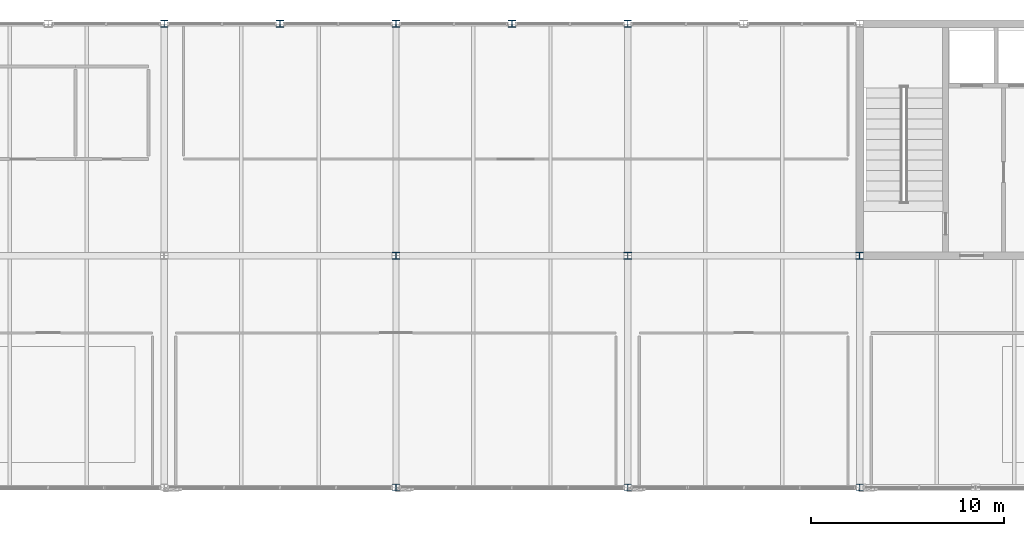
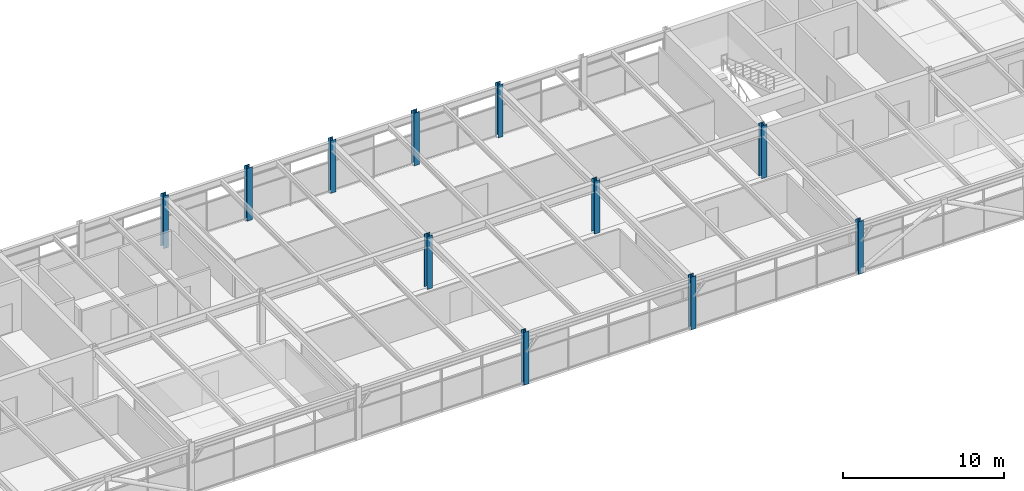
# One storey, part 2 of 40: 11 columns.
"""IFC4 building model written with IfcOpenShell, lengths in metres."""

from ifc_helpers import new_model, si_unit, direction, frame, origin, origin_2d, place, context, subcontext, project, spatial, i_section, extrude, material, material_profile, profile_set, type_object, element, save


model = new_model("IFC4")

# Units and contexts
model_context = context("Model", 3, precision=1e-05, world=origin(), true_north=direction((0.0, 1.0)))
body_context = subcontext(model_context, "Body", "Model", "MODEL_VIEW")
ifc_project = project(units=[si_unit("LENGTHUNIT", "METRE"), si_unit("AREAUNIT", "SQUARE_METRE"), si_unit("VOLUMEUNIT", "CUBIC_METRE"), si_unit("PLANEANGLEUNIT", "RADIAN"), si_unit("MASSUNIT", "GRAM", prefix="KILO")], contexts=[model_context])

# Site, building, storey
site_placement = place(None, origin())
site = spatial("IfcSite", under=ifc_project, at=site_placement, CompositionType="ELEMENT")
building_placement = place(site_placement, origin())
building = spatial("IfcBuilding", under=site, at=building_placement, Name="Girod Span Mobility Hub", CompositionType="ELEMENT")
storey_placement = place(building_placement, frame((0.0, 0.0, 53.60009765625)))
storey = spatial("IfcBuildingStorey", under=building, at=storey_placement, Name="L13", CompositionType="ELEMENT", Elevation=53.60009765625)

# Columns
ifc_material_1 = material(Name="Steel A992 Grade 50", Category="steel")
ifc_material_profile_1 = material_profile(ifc_material_1, i_section(OverallWidth=0.39404296875, OverallDepth=0.375, WebThickness=0.017333984375, FlangeThickness=0.027587890625, FilletRadius=0.01806640625, at=origin_2d()), Name="W14X145")
ifc_profile_set_1 = profile_set([ifc_material_profile_1], Name="Steel A992 Grade 50")
column_type_1 = type_object("IfcColumnType", Name="COL-STL-W14X145", PredefinedType="COLUMN", material=ifc_profile_set_1)
for number, where, z_axis, x_axis, name in (
    (1, (84.0, 57.0, 0.0), (0.0, 0.0, 1.0), (1.0, 0.0, 0.0), "Column 8E L13"),
    (2, (96.0, 57.0, 0.0), (0.0, 0.0, 1.0), (1.0, 0.0, 0.0), "Column 9E L13"),
    (3, (108.0, 57.0, 0.0), (0.0, 0.0, 1.0), (1.0, 0.0, 0.0), "Column 10E L13"),
    (4, (78.0, 69.0, 0.0), (0.0, 0.0, 1.0), (1.0, 0.0, 0.0), "Facade Intermediate Column INT-2 L13"),
    (5, (90.0, 69.0, 0.0), (0.0, 0.0, 1.0), (1.0, 0.0, 0.0), "Facade Intermediate Column INT-3 L13"),
):
    element("IfcColumn", number, at=place(storey_placement, frame(where, z_axis=z_axis, x_axis=x_axis)), inside=storey, type_object=column_type_1, Name=name, PredefinedType="COLUMN", context=body_context, shape_type="SweptSolid", body=[
        extrude(i_section(OverallWidth=0.39404296875, OverallDepth=0.375, WebThickness=0.017333984375, FlangeThickness=0.027587890625, FilletRadius=0.01806640625, at=origin_2d()), origin(), (0.0, 0.0, 1.0), 4.0),
    ])
ifc_material_2 = material(Name="Steel A992 Grade 50", Category="steel")
ifc_material_profile_2 = material_profile(ifc_material_2, i_section(OverallWidth=0.368896484375, OverallDepth=0.35595703125, WebThickness=0.01123046875, FlangeThickness=0.01806640625, FilletRadius=0.01806640625, at=origin_2d()), Name="W14X90")
ifc_profile_set_2 = profile_set([ifc_material_profile_2], Name="Steel A992 Grade 50")
column_type_2 = type_object("IfcColumnType", Name="COL-STL-W14X90", PredefinedType="COLUMN", material=ifc_profile_set_2)
for number, where, z_axis, x_axis, name in (
    (6, (72.0, 69.0, 0.0), (0.0, 0.0, 1.0), (1.0, 0.0, 0.0), "Column 7F L13"),
    (7, (84.0, 45.0, 0.0), (0.0, 0.0, 1.0), (1.0, 0.0, 0.0), "Column 8D L13"),
    (8, (84.0, 69.0, 0.0), (0.0, 0.0, 1.0), (1.0, 0.0, 0.0), "Column 8F L13"),
    (9, (96.0, 45.0, 0.0), (0.0, 0.0, 1.0), (1.0, 0.0, 0.0), "Column 9D L13"),
    (10, (96.0, 69.0, 0.0), (0.0, 0.0, 1.0), (1.0, 0.0, 0.0), "Column 9F L13"),
    (11, (108.0, 45.0, 0.0), (0.0, 0.0, 1.0), (1.0, 0.0, 0.0), "Column 10D L13"),
):
    element("IfcColumn", number, at=place(storey_placement, frame(where, z_axis=z_axis, x_axis=x_axis)), inside=storey, type_object=column_type_2, Name=name, PredefinedType="COLUMN", context=body_context, shape_type="SweptSolid", body=[
        extrude(i_section(OverallWidth=0.368896484375, OverallDepth=0.35595703125, WebThickness=0.01123046875, FlangeThickness=0.01806640625, FilletRadius=0.01806640625, at=origin_2d()), origin(), (0.0, 0.0, 1.0), 4.0),
    ])

save(model, "model.ifc")
